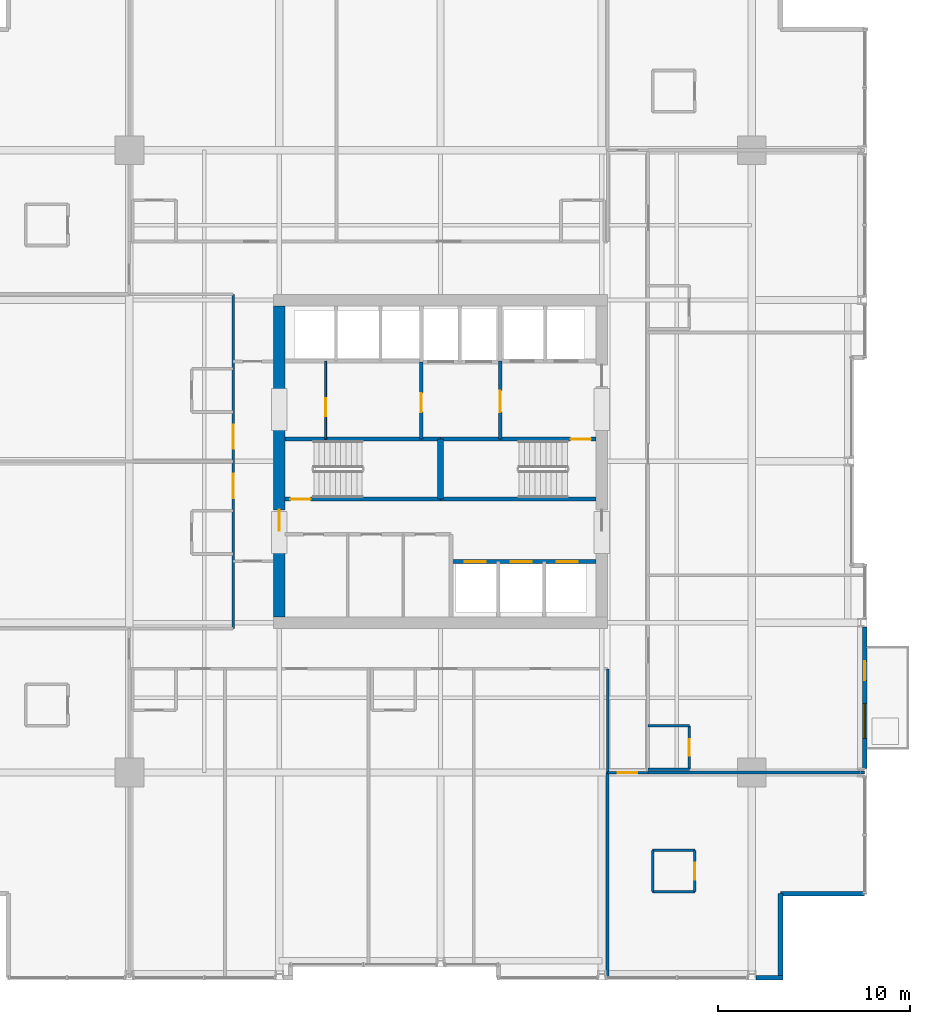
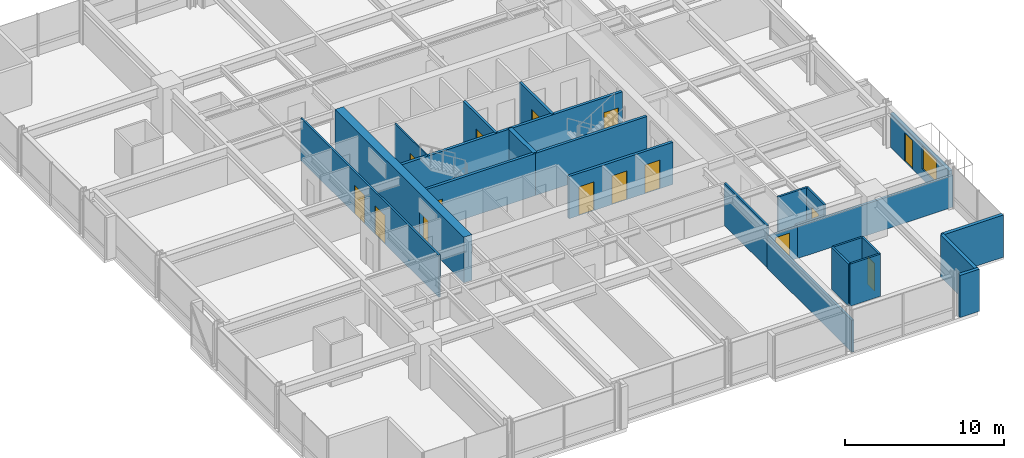
# One storey, part 29 of 34: 26 walls, 15 doors, 1 window, 16 openings.
"""IFC4 building model written with IfcOpenShell, lengths in metres."""

from ifc_helpers import new_model, si_unit, direction, frame, frame_2d, origin, place, context, subcontext, project, spatial, rectangle, extrude, material, layer, layer_set, type_object, element, fill, save


model = new_model("IFC4")

# Units and contexts
model_context = context("Model", 3, precision=1e-05, world=origin(), true_north=direction((0.0, 1.0)))
body_context = subcontext(model_context, "Body", "Model", "MODEL_VIEW")
ifc_project = project(units=[si_unit("LENGTHUNIT", "METRE"), si_unit("AREAUNIT", "SQUARE_METRE"), si_unit("VOLUMEUNIT", "CUBIC_METRE"), si_unit("PLANEANGLEUNIT", "RADIAN"), si_unit("MASSUNIT", "GRAM", prefix="KILO")], contexts=[model_context])

# Site, building, storey
site_placement = place(None, origin())
site = spatial("IfcSite", under=ifc_project, at=site_placement, CompositionType="ELEMENT")
building_placement = place(site_placement, origin())
building = spatial("IfcBuilding", under=site, at=building_placement, Name="Drelvath Grand Hotel", CompositionType="ELEMENT")
storey_placement = place(building_placement, frame((0.0, 0.0, 112.800048828125)))
storey = spatial("IfcBuildingStorey", under=building, at=storey_placement, Name="L28", CompositionType="ELEMENT", Elevation=112.800048828125)

# Wall, opening, door
ifc_material_1 = material(Name="Gypsum Partition Board")
ifc_layer_1 = layer(ifc_material_1, 0.10009765625)
ifc_layer_set_1 = layer_set([ifc_layer_1], Name="Gypsum Partition Board")
wall_type_1 = type_object("IfcWallType", Name="Core Closet Partition 100", PredefinedType="PARTITIONING", material=ifc_layer_set_1)
wall_1_placement = place(storey_placement, frame((-5.97998046875, 28.159912109375, 0.0), z_axis=(0.0, 0.0, 1.0), x_axis=(0.0, 1.0, 0.0)))
wall_1 = element("IfcWall", 1, at=wall_1_placement, inside=storey, type_object=wall_type_1, Name="L28 Core Closet Divider 2", PredefinedType="PARTITIONING", context=body_context, shape_type="SweptSolid", body=[
    extrude(rectangle(XDim=4.06005859375, YDim=0.10009765625, at=frame_2d((2.030029296875, 0.0))), origin(), (0.0, 0.0, 1.0), 3.239990234375),
])
opening_1_placement = place(wall_1_placement, frame((1.199951171875, 0.0, 0.0)))
opening_1 = element("IfcOpeningElement", 2, at=opening_1_placement, cuts=wall_1, Name="Opening D-T2G3-010", PredefinedType="OPENING", context=body_context, shape_type="SweptSolid", body=[
    extrude(rectangle(XDim=0.919921875, YDim=2.10009765625, at=frame_2d((0.4599609375, 1.050048828125))), frame((0.0, 0.06005859375, 0.0), z_axis=(0.0, -1.0, 0.0), x_axis=(1.0, 0.0, 0.0)), (0.0, 0.0, 1.0), 0.1201171875),
])
ifc_material_2 = material(Name="Painted Steel S275", Category="steel")
door_type_1 = type_object("IfcDoorType", Name="Staff Utility Door 920x2100", OperationType="NOTDEFINED", PredefinedType="DOOR", material=ifc_material_2)
door_1_placement = place(opening_1_placement, origin())
door_1 = element("IfcDoor", 3, at=door_1_placement, inside=storey, type_object=door_type_1, Name="L28 Low-Voltage Closet Door", OperationType="SINGLE_SWING_RIGHT", OverallHeight=2.10009765625, OverallWidth=0.919921875, PredefinedType="DOOR", context=body_context, shape_type="SweptSolid", body=[
    extrude(rectangle(XDim=0.919921875, YDim=2.10009765625, at=frame_2d((0.4599609375, 1.050048828125))), frame((0.0, 0.02490234375, 0.0), z_axis=(0.0, -1.0, 0.0), x_axis=(1.0, 0.0, 0.0)), (0.0, 0.0, 1.0), 0.050048828125),
])
fill(opening_1, door_1)

# Wall, openings, doors
ifc_material_3 = material(Name="Concrete C40/50", Category="concrete")
ifc_layer_2 = layer(ifc_material_3, 0.199951171875)
ifc_layer_set_2 = layer_set([ifc_layer_2], Name="Concrete C40/50")
wall_type_2 = type_object("IfcWallType", Name="Core Hoistway Fire Wall 200", PredefinedType="SOLIDWALL", material=ifc_layer_set_2)
wall_2_placement = place(storey_placement, frame((8.10009765625, 21.780029296875, 0.0), z_axis=(0.0, 0.0, 1.0), x_axis=(-1.0, 0.0, 0.0)))
wall_2 = element("IfcWall", 4, at=wall_2_placement, inside=storey, type_object=wall_type_2, Name="L28 Bank 2 Hoistway Wall", PredefinedType="SOLIDWALL", context=body_context, shape_type="SweptSolid", body=[
    extrude(rectangle(XDim=7.550048828125, YDim=0.199951171875, at=frame_2d((3.77490234375, 0.0))), origin(), (0.0, 0.0, 1.0), 3.239990234375),
])
opening_2_placement = place(wall_2_placement, frame((5.75, 0.0, 0.0)))
opening_2 = element("IfcOpeningElement", 5, at=opening_2_placement, cuts=wall_2, Name="Opening LD-PE-4", PredefinedType="OPENING", context=body_context, shape_type="SweptSolid", body=[
    extrude(rectangle(XDim=1.10009765625, YDim=2.199951171875, at=frame_2d((0.550048828125, 1.10009765625))), frame((0.0, 0.10986328125, 0.0), z_axis=(0.0, -1.0, 0.0), x_axis=(1.0, 0.0, 0.0)), (0.0, 0.0, 1.0), 0.219970703125),
])
opening_3_placement = place(wall_2_placement, frame((3.35009765625, 0.0, 0.0)))
opening_3 = element("IfcOpeningElement", 6, at=opening_3_placement, cuts=wall_2, Name="Opening LD-PE-5", PredefinedType="OPENING", context=body_context, shape_type="SweptSolid", body=[
    extrude(rectangle(XDim=1.10009765625, YDim=2.199951171875, at=frame_2d((0.550048828125, 1.10009765625))), frame((0.0, 0.10986328125, 0.0), z_axis=(0.0, -1.0, 0.0), x_axis=(1.0, 0.0, 0.0)), (0.0, 0.0, 1.0), 0.219970703125),
])
opening_4_placement = place(wall_2_placement, frame((0.949951171875, 0.0, 0.0)))
opening_4 = element("IfcOpeningElement", 7, at=opening_4_placement, cuts=wall_2, Name="Opening LD-PE-6", PredefinedType="OPENING", context=body_context, shape_type="SweptSolid", body=[
    extrude(rectangle(XDim=1.10009765625, YDim=2.199951171875, at=frame_2d((0.550048828125, 1.10009765625))), frame((0.0, 0.10986328125, 0.0), z_axis=(0.0, -1.0, 0.0), x_axis=(1.0, 0.0, 0.0)), (0.0, 0.0, 1.0), 0.219970703125),
])
ifc_material_4 = material(Name="Stainless Steel S355", Category="steel")
door_type_2 = type_object("IfcDoorType", Name="Passenger Lift Sliding Landing Door 1100x2200", OperationType="NOTDEFINED", PredefinedType="DOOR", material=ifc_material_4)
door_2_placement = place(opening_2_placement, origin())
door_2 = element("IfcDoor", 8, at=door_2_placement, inside=storey, type_object=door_type_2, Name="L28 Lift PE-4 Landing Door", OperationType="SLIDING_TO_LEFT", OverallHeight=2.199951171875, OverallWidth=1.10009765625, PredefinedType="DOOR", context=body_context, shape_type="SweptSolid", body=[
    extrude(rectangle(XDim=1.10009765625, YDim=2.199951171875, at=frame_2d((0.550048828125, 1.10009765625))), frame((0.0, 0.02490234375, 0.0), z_axis=(0.0, -1.0, 0.0), x_axis=(1.0, 0.0, 0.0)), (0.0, 0.0, 1.0), 0.050048828125),
])
fill(opening_2, door_2)
door_3_placement = place(opening_3_placement, origin())
door_3 = element("IfcDoor", 9, at=door_3_placement, inside=storey, type_object=door_type_2, Name="L28 Lift PE-5 Landing Door", OperationType="SLIDING_TO_LEFT", OverallHeight=2.199951171875, OverallWidth=1.10009765625, PredefinedType="DOOR", context=body_context, shape_type="SweptSolid", body=[
    extrude(rectangle(XDim=1.10009765625, YDim=2.199951171875, at=frame_2d((0.550048828125, 1.10009765625))), frame((0.0, 0.02490234375, 0.0), z_axis=(0.0, -1.0, 0.0), x_axis=(1.0, 0.0, 0.0)), (0.0, 0.0, 1.0), 0.050048828125),
])
fill(opening_3, door_3)
door_4_placement = place(opening_4_placement, origin())
door_4 = element("IfcDoor", 10, at=door_4_placement, inside=storey, type_object=door_type_2, Name="L28 Lift PE-6 Landing Door", OperationType="SLIDING_TO_LEFT", OverallHeight=2.199951171875, OverallWidth=1.10009765625, PredefinedType="DOOR", context=body_context, shape_type="SweptSolid", body=[
    extrude(rectangle(XDim=1.10009765625, YDim=2.199951171875, at=frame_2d((0.550048828125, 1.10009765625))), frame((0.0, 0.02490234375, 0.0), z_axis=(0.0, -1.0, 0.0), x_axis=(1.0, 0.0, 0.0)), (0.0, 0.0, 1.0), 0.050048828125),
])
fill(opening_4, door_4)

# Wall, opening, door
ifc_layer_3 = layer(ifc_material_3, 0.199951171875)
ifc_layer_set_3 = layer_set([ifc_layer_3], Name="Concrete C40/50")
wall_type_3 = type_object("IfcWallType", Name="Core Shaft Fire Wall 200", PredefinedType="SOLIDWALL", material=ifc_layer_set_3)
wall_3_placement = place(storey_placement, frame((-8.10009765625, 25.0400390625, 0.0), z_axis=(0.0, 0.0, 1.0), x_axis=(1.0, 0.0, 0.0)))
wall_3 = element("IfcWall", 11, at=wall_3_placement, inside=storey, type_object=wall_type_3, Name="L28 Stair ST-1 South Wall", PredefinedType="SOLIDWALL", context=body_context, shape_type="SweptSolid", body=[
    extrude(rectangle(XDim=8.10009765625, YDim=0.199951171875, at=frame_2d((4.050048828125, 0.0))), origin(), (0.0, 0.0, 1.0), 3.239990234375),
])
opening_5_placement = place(wall_3_placement, frame((0.280029296875, 0.0, 0.0)))
opening_5 = element("IfcOpeningElement", 12, at=opening_5_placement, cuts=wall_3, Name="Opening D-T2G3-001", PredefinedType="OPENING", context=body_context, shape_type="SweptSolid", body=[
    extrude(rectangle(XDim=1.050048828125, YDim=2.10009765625, at=frame_2d((0.52490234375, 1.050048828125))), frame((0.0, 0.10986328125, 0.0), z_axis=(0.0, -1.0, 0.0), x_axis=(1.0, 0.0, 0.0)), (0.0, 0.0, 1.0), 0.219970703125),
])
door_type_3 = type_object("IfcDoorType", Name="Tower Stairwell Fire Door 1050x2100", OperationType="NOTDEFINED", PredefinedType="DOOR", material=ifc_material_2)
door_5_placement = place(opening_5_placement, origin())
door_5 = element("IfcDoor", 13, at=door_5_placement, inside=storey, type_object=door_type_3, Name="L28 Exit Stair ST-1 Door", OperationType="SINGLE_SWING_LEFT", OverallHeight=2.10009765625, OverallWidth=1.050048828125, PredefinedType="DOOR", context=body_context, shape_type="SweptSolid", body=[
    extrude(rectangle(XDim=1.050048828125, YDim=2.10009765625, at=frame_2d((0.52490234375, 1.050048828125))), frame((0.0, 0.02490234375, 0.0), z_axis=(0.0, -1.0, 0.0), x_axis=(1.0, 0.0, 0.0)), (0.0, 0.0, 1.0), 0.050048828125),
])
fill(opening_5, door_5)

# Walls
for number, where, z_axis, x_axis, name in (
    (14, (-8.10009765625, 28.159912109375, 0.0), (0.0, 0.0, 1.0), (1.0, 0.0, 0.0), "L28 Stair ST-1 North Wall"),
    (15, (0.0, 25.0400390625, 0.0), (0.0, 0.0, 1.0), (1.0, 0.0, 0.0), "L28 Stair ST-2 South Wall"),
):
    element("IfcWall", number, at=place(storey_placement, frame(where, z_axis=z_axis, x_axis=x_axis)), inside=storey, type_object=wall_type_3, Name=name, PredefinedType="SOLIDWALL", context=body_context, shape_type="SweptSolid", body=[
        extrude(rectangle(XDim=8.10009765625, YDim=0.199951171875, at=frame_2d((4.050048828125, 0.0))), origin(), (0.0, 0.0, 1.0), 3.239990234375),
    ])

# Wall, opening, door
wall_4_placement = place(storey_placement, frame((8.10009765625, 28.159912109375, 0.0), z_axis=(0.0, 0.0, 1.0), x_axis=(-1.0, 0.0, 0.0)))
wall_4 = element("IfcWall", 16, at=wall_4_placement, inside=storey, type_object=wall_type_3, Name="L28 Stair ST-2 North Wall", PredefinedType="SOLIDWALL", context=body_context, shape_type="SweptSolid", body=[
    extrude(rectangle(XDim=8.10009765625, YDim=0.199951171875, at=frame_2d((4.050048828125, 0.0))), origin(), (0.0, 0.0, 1.0), 3.239990234375),
])
opening_6_placement = place(wall_4_placement, frame((0.280029296875, 0.0, 0.0)))
opening_6 = element("IfcOpeningElement", 17, at=opening_6_placement, cuts=wall_4, Name="Opening D-T2G3-002", PredefinedType="OPENING", context=body_context, shape_type="SweptSolid", body=[
    extrude(rectangle(XDim=1.050048828125, YDim=2.10009765625, at=frame_2d((0.52490234375, 1.050048828125))), frame((0.0, 0.10986328125, 0.0), z_axis=(0.0, -1.0, 0.0), x_axis=(1.0, 0.0, 0.0)), (0.0, 0.0, 1.0), 0.219970703125),
])
door_6_placement = place(opening_6_placement, origin())
door_6 = element("IfcDoor", 18, at=door_6_placement, inside=storey, type_object=door_type_3, Name="L28 Exit Stair ST-2 Door", OperationType="SINGLE_SWING_LEFT", OverallHeight=2.10009765625, OverallWidth=1.050048828125, PredefinedType="DOOR", context=body_context, shape_type="SweptSolid", body=[
    extrude(rectangle(XDim=1.050048828125, YDim=2.10009765625, at=frame_2d((0.52490234375, 1.050048828125))), frame((0.0, 0.02490234375, 0.0), z_axis=(0.0, -1.0, 0.0), x_axis=(1.0, 0.0, 0.0)), (0.0, 0.0, 1.0), 0.050048828125),
])
fill(opening_6, door_6)

# Walls
ifc_layer_4 = layer(ifc_material_3, 0.300048828125)
ifc_layer_set_4 = layer_set([ifc_layer_4], Name="Concrete C40/50")
wall_type_4 = type_object("IfcWallType", Name="Core Shaft Fire Wall 300", PredefinedType="SOLIDWALL", material=ifc_layer_set_4)
wall_5_placement = place(storey_placement, frame((0.0, 25.0400390625, 0.0), z_axis=(0.0, 0.0, 1.0), x_axis=(0.0, 1.0, 0.0)))
element("IfcWall", 19, at=wall_5_placement, inside=storey, type_object=wall_type_4, Name="L28 Core Stair Divider Wall", PredefinedType="SOLIDWALL", context=body_context, shape_type="SweptSolid", body=[
    extrude(rectangle(XDim=3.119873046875, YDim=0.300048828125, at=frame_2d((1.56005859375, 0.0))), origin(), (0.0, 0.0, 1.0), 3.239990234375),
])
ifc_material_5 = material(Name="Gypsum Fireboard Partition")
ifc_layer_5 = layer(ifc_material_5, 0.135009765625)
ifc_layer_set_5 = layer_set([ifc_layer_5], Name="Gypsum Fireboard Partition")
wall_type_5 = type_object("IfcWallType", Name="Corridor Fire Barrier Wall 135", PredefinedType="PARTITIONING", material=ifc_layer_set_5)
wall_6_placement = place(storey_placement, frame((8.699951171875, 10.800048828125, 0.0), z_axis=(0.0, 0.0, 1.0), x_axis=(0.0, 1.0, 0.0)))
element("IfcWall", 20, at=wall_6_placement, inside=storey, type_object=wall_type_5, Name="L28 East Spine South Inner Wall", PredefinedType="PARTITIONING", context=body_context, shape_type="SweptSolid", body=[
    extrude(rectangle(XDim=5.39990234375, YDim=0.135009765625, at=frame_2d((2.699951171875, 0.0))), origin(), (0.0, 0.0, 1.0), 3.239990234375),
])

# Wall, openings, doors
wall_7_placement = place(storey_placement, frame((-10.800048828125, 18.300048828125, 0.0), z_axis=(0.0, 0.0, 1.0), x_axis=(0.0, 1.0, 0.0)))
wall_7 = element("IfcWall", 21, at=wall_7_placement, inside=storey, type_object=wall_type_5, Name="L28 West Spine Wall", PredefinedType="PARTITIONING", context=body_context, shape_type="SweptSolid", body=[
    extrude(rectangle(XDim=17.39990234375, YDim=0.135009765625, at=frame_2d((8.699951171875, 0.0))), origin(), (0.0, 0.0, 1.0), 3.239990234375),
])
opening_7_placement = place(wall_7_placement, frame((6.784912109375, 0.0, 0.0)))
opening_7 = element("IfcOpeningElement", 22, at=opening_7_placement, cuts=wall_7, Name="Opening D-T2G3-045", PredefinedType="OPENING", context=body_context, shape_type="SweptSolid", body=[
    extrude(rectangle(XDim=1.260009765625, YDim=2.199951171875, at=frame_2d((0.6298828125, 1.10009765625))), frame((0.0, 0.077392578125, 0.0), z_axis=(0.0, -1.0, 0.0), x_axis=(1.0, 0.0, 0.0)), (0.0, 0.0, 1.0), 0.155029296875),
])
opening_8_placement = place(wall_7_placement, frame((9.35498046875, 0.0, 0.0)))
opening_8 = element("IfcOpeningElement", 23, at=opening_8_placement, cuts=wall_7, Name="Opening D-T2G3-047", PredefinedType="OPENING", context=body_context, shape_type="SweptSolid", body=[
    extrude(rectangle(XDim=1.260009765625, YDim=2.199951171875, at=frame_2d((0.6298828125, 1.10009765625))), frame((0.0, 0.077392578125, 0.0), z_axis=(0.0, -1.0, 0.0), x_axis=(1.0, 0.0, 0.0)), (0.0, 0.0, 1.0), 0.155029296875),
])
ifc_material_6 = material(Name="Hardwood Walnut Timber", Category="wood")
door_type_4 = type_object("IfcDoorType", Name="Suite Entrance Fire Door 1260x2200", OperationType="NOTDEFINED", PredefinedType="DOOR", material=ifc_material_6)
door_7_placement = place(opening_7_placement, origin())
door_7 = element("IfcDoor", 24, at=door_7_placement, inside=storey, type_object=door_type_4, Name="L28 Corner Suite Entry Door", OperationType="SINGLE_SWING_RIGHT", OverallHeight=2.199951171875, OverallWidth=1.260009765625, PredefinedType="DOOR", context=body_context, shape_type="SweptSolid", body=[
    extrude(rectangle(XDim=1.260009765625, YDim=2.199951171875, at=frame_2d((0.6298828125, 1.10009765625))), frame((0.0, 0.02490234375, 0.0), z_axis=(0.0, -1.0, 0.0), x_axis=(1.0, 0.0, 0.0)), (0.0, 0.0, 1.0), 0.050048828125),
])
fill(opening_7, door_7)
door_8_placement = place(opening_8_placement, origin())
door_8 = element("IfcDoor", 25, at=door_8_placement, inside=storey, type_object=door_type_4, Name="L28 Corner Suite Entry Door", OperationType="SINGLE_SWING_RIGHT", OverallHeight=2.199951171875, OverallWidth=1.260009765625, PredefinedType="DOOR", context=body_context, shape_type="SweptSolid", body=[
    extrude(rectangle(XDim=1.260009765625, YDim=2.199951171875, at=frame_2d((0.6298828125, 1.10009765625))), frame((0.0, 0.02490234375, 0.0), z_axis=(0.0, -1.0, 0.0), x_axis=(1.0, 0.0, 0.0)), (0.0, 0.0, 1.0), 0.050048828125),
])
fill(opening_8, door_8)

# Wall, opening, door
wall_8_placement = place(storey_placement, frame((8.699951171875, 10.800048828125, 0.0), z_axis=(0.0, 0.0, 1.0), x_axis=(1.0, 0.0, 0.0)))
wall_8 = element("IfcWall", 26, at=wall_8_placement, inside=storey, type_object=wall_type_5, Name="L28 East Spine South End", PredefinedType="PARTITIONING", context=body_context, shape_type="SweptSolid", body=[
    extrude(rectangle(XDim=2.10009765625, YDim=0.135009765625, at=frame_2d((1.050048828125, 0.0))), origin(), (0.0, 0.0, 1.0), 2.45166015625),
])
opening_9_placement = place(wall_8_placement, frame((0.52001953125, 0.0, 0.0)))
opening_9 = element("IfcOpeningElement", 27, at=opening_9_placement, cuts=wall_8, Name="Opening D-T2G3-026", PredefinedType="OPENING", context=body_context, shape_type="SweptSolid", body=[
    extrude(rectangle(XDim=1.02001953125, YDim=2.14990234375, at=frame_2d((0.510009765625, 1.074951171875))), frame((0.0, 0.077392578125, 0.0), z_axis=(0.0, -1.0, 0.0), x_axis=(1.0, 0.0, 0.0)), (0.0, 0.0, 1.0), 0.155029296875),
])
door_type_5 = type_object("IfcDoorType", Name="Amenity Meeting Fire Door 1020x2150", OperationType="NOTDEFINED", PredefinedType="DOOR", material=ifc_material_6)
door_9_placement = place(opening_9_placement, origin())
door_9 = element("IfcDoor", 28, at=door_9_placement, inside=storey, type_object=door_type_5, Name="L28 Corner Suite Entry Door", OperationType="SINGLE_SWING_LEFT", OverallHeight=2.14990234375, OverallWidth=1.02001953125, PredefinedType="DOOR", context=body_context, shape_type="SweptSolid", body=[
    extrude(rectangle(XDim=1.02001953125, YDim=2.14990234375, at=frame_2d((0.510009765625, 1.074951171875))), frame((0.0, 0.02490234375, 0.0), z_axis=(0.0, -1.0, 0.0), x_axis=(1.0, 0.0, 0.0)), (0.0, 0.0, 1.0), 0.050048828125),
])
fill(opening_9, door_9)

# Walls
ifc_material_7 = material(Name="Moisture-Resistant Gypsum Board")
ifc_layer_6 = layer(ifc_material_7, 0.139892578125)
ifc_layer_set_6 = layer_set([ifc_layer_6], Name="Moisture-Resistant Gypsum Board")
wall_type_6 = type_object("IfcWallType", Name="En-Suite Plumbing Wall 140", PredefinedType="PLUMBINGWALL", material=ifc_layer_set_6)
for number, where, z_axis, x_axis, name in (
    (29, (11.0400390625, 4.60009765625, 0.0), (0.0, 0.0, 1.0), (1.0, 0.0, 0.0), "L28 Corner En-Suite South"),
    (30, (11.0400390625, 6.75, 0.0), (0.0, 0.0, 1.0), (1.0, 0.0, 0.0), "L28 Corner En-Suite North"),
):
    element("IfcWall", number, at=place(storey_placement, frame(where, z_axis=z_axis, x_axis=x_axis)), inside=storey, type_object=wall_type_6, Name=name, PredefinedType="PLUMBINGWALL", context=body_context, shape_type="SweptSolid", body=[
        extrude(rectangle(XDim=2.199951171875, YDim=0.139892578125, at=frame_2d((1.10009765625, 0.0))), origin(), (0.0, 0.0, 1.0), 3.239990234375),
    ])
wall_9_placement = place(storey_placement, frame((11.0400390625, 4.60009765625, 0.0), z_axis=(0.0, 0.0, 1.0), x_axis=(0.0, 1.0, 0.0)))
element("IfcWall", 31, at=wall_9_placement, inside=storey, type_object=wall_type_6, Name="L28 Corner En-Suite West", PredefinedType="PLUMBINGWALL", context=body_context, shape_type="SweptSolid", body=[
    extrude(rectangle(XDim=2.14990234375, YDim=0.139892578125, at=frame_2d((1.074951171875, 0.0))), origin(), (0.0, 0.0, 1.0), 3.239990234375),
])

# Wall, opening, door
wall_10_placement = place(storey_placement, frame((13.239990234375, 4.60009765625, 0.0), z_axis=(0.0, 0.0, 1.0), x_axis=(0.0, 1.0, 0.0)))
wall_10 = element("IfcWall", 32, at=wall_10_placement, inside=storey, type_object=wall_type_6, Name="L28 Corner En-Suite East", PredefinedType="PLUMBINGWALL", context=body_context, shape_type="SweptSolid", body=[
    extrude(rectangle(XDim=2.14990234375, YDim=0.139892578125, at=frame_2d((1.074951171875, 0.0))), origin(), (0.0, 0.0, 1.0), 3.239990234375),
])
opening_10_placement = place(wall_10_placement, frame((0.6201171875, 0.0, 0.0)))
opening_10 = element("IfcOpeningElement", 33, at=opening_10_placement, cuts=wall_10, Name="Opening D-T2G3-025", PredefinedType="OPENING", context=body_context, shape_type="SweptSolid", body=[
    extrude(rectangle(XDim=0.8798828125, YDim=2.10009765625, at=frame_2d((0.43994140625, 1.050048828125))), frame((0.0, 0.079833984375, 0.0), z_axis=(0.0, -1.0, 0.0), x_axis=(1.0, 0.0, 0.0)), (0.0, 0.0, 1.0), 0.159912109375),
])
door_type_6 = type_object("IfcDoorType", Name="En-Suite Bathroom Door 880x2100", OperationType="NOTDEFINED", PredefinedType="DOOR", material=ifc_material_6)
door_10_placement = place(opening_10_placement, origin())
door_10 = element("IfcDoor", 34, at=door_10_placement, inside=storey, type_object=door_type_6, Name="L28 Corner En-Suite Door", OperationType="SINGLE_SWING_RIGHT", OverallHeight=2.10009765625, OverallWidth=0.8798828125, PredefinedType="DOOR", context=body_context, shape_type="SweptSolid", body=[
    extrude(rectangle(XDim=0.8798828125, YDim=2.10009765625, at=frame_2d((0.43994140625, 1.050048828125))), frame((0.0, 0.02490234375, 0.0), z_axis=(0.0, -1.0, 0.0), x_axis=(1.0, 0.0, 0.0)), (0.0, 0.0, 1.0), 0.050048828125),
])
fill(opening_10, door_10)

# Walls
wall_11_placement = place(storey_placement, frame((10.800048828125, 10.97998046875, 0.0), z_axis=(0.0, 0.0, 1.0), x_axis=(1.0, 0.0, 0.0)))
element("IfcWall", 35, at=wall_11_placement, inside=storey, type_object=wall_type_6, Name="L28 En-Suite Left Wall", PredefinedType="PLUMBINGWALL", context=body_context, shape_type="SweptSolid", body=[
    extrude(rectangle(XDim=2.14990234375, YDim=0.139892578125, at=frame_2d((1.074951171875, 0.0))), origin(), (0.0, 0.0, 1.0), 2.45166015625),
])
wall_12_placement = place(storey_placement, frame((10.800048828125, 13.22998046875, 0.0), z_axis=(0.0, 0.0, 1.0), x_axis=(1.0, 0.0, 0.0)))
element("IfcWall", 36, at=wall_12_placement, inside=storey, type_object=wall_type_6, Name="L28 En-Suite Right Wall", PredefinedType="PLUMBINGWALL", context=body_context, shape_type="SweptSolid", body=[
    extrude(rectangle(XDim=2.14990234375, YDim=0.139892578125, at=frame_2d((1.074951171875, 0.0))), origin(), (0.0, 0.0, 1.0), 3.239990234375),
])

# Wall, opening, door
wall_13_placement = place(storey_placement, frame((12.949951171875, 10.97998046875, 0.0), z_axis=(0.0, 0.0, 1.0), x_axis=(0.0, 1.0, 0.0)))
wall_13 = element("IfcWall", 37, at=wall_13_placement, inside=storey, type_object=wall_type_6, Name="L28 En-Suite Front Wall", PredefinedType="PLUMBINGWALL", context=body_context, shape_type="SweptSolid", body=[
    extrude(rectangle(XDim=2.25, YDim=0.139892578125, at=frame_2d((1.125, 0.0))), origin(), (0.0, 0.0, 1.0), 3.239990234375),
])
opening_11_placement = place(wall_13_placement, frame((0.68505859375, 0.0, 0.0)))
opening_11 = element("IfcOpeningElement", 38, at=opening_11_placement, cuts=wall_13, Name="Opening D-T2G3-039", PredefinedType="OPENING", context=body_context, shape_type="SweptSolid", body=[
    extrude(rectangle(XDim=0.8798828125, YDim=2.10009765625, at=frame_2d((0.43994140625, 1.050048828125))), frame((0.0, 0.079833984375, 0.0), z_axis=(0.0, -1.0, 0.0), x_axis=(1.0, 0.0, 0.0)), (0.0, 0.0, 1.0), 0.159912109375),
])
door_11_placement = place(opening_11_placement, origin())
door_11 = element("IfcDoor", 39, at=door_11_placement, inside=storey, type_object=door_type_6, Name="L28 En-Suite Bathroom Door", OperationType="SINGLE_SWING_RIGHT", OverallHeight=2.10009765625, OverallWidth=0.8798828125, PredefinedType="DOOR", context=body_context, shape_type="SweptSolid", body=[
    extrude(rectangle(XDim=0.8798828125, YDim=2.10009765625, at=frame_2d((0.43994140625, 1.050048828125))), frame((0.0, 0.02490234375, 0.0), z_axis=(0.0, -1.0, 0.0), x_axis=(1.0, 0.0, 0.0)), (0.0, 0.0, 1.0), 0.050048828125),
])
fill(opening_11, door_11)

ifc_layer_7 = layer(ifc_material_5, 0.179931640625)
ifc_layer_set_7 = layer_set([ifc_layer_7], Name="Gypsum Fireboard Partition")
wall_type_7 = type_object("IfcWallType", Name="FSAE Smoke Lobby Fire Wall 180", PredefinedType="SOLIDWALL", material=ifc_layer_set_7)
wall_14_placement = place(storey_placement, frame((3.10009765625, 28.159912109375, 0.0), z_axis=(0.0, 0.0, 1.0), x_axis=(0.0, 1.0, 0.0)))
wall_14 = element("IfcWall", 40, at=wall_14_placement, inside=storey, type_object=wall_type_7, Name="L28 FSAE Smoke Lobby West Wall", PredefinedType="SOLIDWALL", context=body_context, shape_type="SweptSolid", body=[
    extrude(rectangle(XDim=4.06005859375, YDim=0.179931640625, at=frame_2d((2.030029296875, 0.0))), origin(), (0.0, 0.0, 1.0), 3.239990234375),
])
opening_12_placement = place(wall_14_placement, frame((1.39990234375, 0.0, 0.0)))
opening_12 = element("IfcOpeningElement", 41, at=opening_12_placement, cuts=wall_14, Name="Opening D-T2G3-005", PredefinedType="OPENING", context=body_context, shape_type="SweptSolid", body=[
    extrude(rectangle(XDim=1.1201171875, YDim=2.10009765625, at=frame_2d((0.56005859375, 1.050048828125))), frame((0.0, 0.099853515625, 0.0), z_axis=(0.0, -1.0, 0.0), x_axis=(1.0, 0.0, 0.0)), (0.0, 0.0, 1.0), 0.199951171875),
])
door_type_7 = type_object("IfcDoorType", Name="FSAE Smoke Lobby Fire Door 1120x2100", OperationType="NOTDEFINED", PredefinedType="DOOR", material=ifc_material_2)
door_12_placement = place(opening_12_placement, origin())
door_12 = element("IfcDoor", 42, at=door_12_placement, inside=storey, type_object=door_type_7, Name="L28 FSAE Lobby Service Vestibule Door", OperationType="SINGLE_SWING_RIGHT", OverallHeight=2.10009765625, OverallWidth=1.1201171875, PredefinedType="DOOR", context=body_context, shape_type="SweptSolid", body=[
    extrude(rectangle(XDim=1.1201171875, YDim=2.10009765625, at=frame_2d((0.56005859375, 1.050048828125))), frame((0.0, 0.02490234375, 0.0), z_axis=(0.0, -1.0, 0.0), x_axis=(1.0, 0.0, 0.0)), (0.0, 0.0, 1.0), 0.050048828125),
])
fill(opening_12, door_12)

wall_15_placement = place(storey_placement, frame((-1.0, 28.159912109375, 0.0), z_axis=(0.0, 0.0, 1.0), x_axis=(0.0, 1.0, 0.0)))
wall_15 = element("IfcWall", 43, at=wall_15_placement, inside=storey, type_object=wall_type_7, Name="L28 Service Vestibule West Wall", PredefinedType="SOLIDWALL", context=body_context, shape_type="SweptSolid", body=[
    extrude(rectangle(XDim=4.02001953125, YDim=0.179931640625, at=frame_2d((2.010009765625, 0.0))), origin(), (0.0, 0.0, 1.0), 3.239990234375),
])
opening_13_placement = place(wall_15_placement, frame((1.39990234375, 0.0, 0.0)))
opening_13 = element("IfcOpeningElement", 44, at=opening_13_placement, cuts=wall_15, Name="Opening D-T2G3-009", PredefinedType="OPENING", context=body_context, shape_type="SweptSolid", body=[
    extrude(rectangle(XDim=1.0, YDim=2.10009765625, at=frame_2d((0.5, 1.050048828125))), frame((0.0, 0.099853515625, 0.0), z_axis=(0.0, -1.0, 0.0), x_axis=(1.0, 0.0, 0.0)), (0.0, 0.0, 1.0), 0.199951171875),
])
door_type_8 = type_object("IfcDoorType", Name="Core Service Fire Door 1000x2100", OperationType="NOTDEFINED", PredefinedType="DOOR", material=ifc_material_2)
door_13_placement = place(opening_13_placement, origin())
door_13 = element("IfcDoor", 45, at=door_13_placement, inside=storey, type_object=door_type_8, Name="L28 Service Vestibule West Door", OperationType="SINGLE_SWING_LEFT", OverallHeight=2.10009765625, OverallWidth=1.0, PredefinedType="DOOR", context=body_context, shape_type="SweptSolid", body=[
    extrude(rectangle(XDim=1.0, YDim=2.10009765625, at=frame_2d((0.5, 1.050048828125))), frame((0.0, 0.02490234375, 0.0), z_axis=(0.0, -1.0, 0.0), x_axis=(1.0, 0.0, 0.0)), (0.0, 0.0, 1.0), 0.050048828125),
])
fill(opening_13, door_13)

ifc_material_8 = material(Name="Concrete f'c 70 MPa", Category="concrete")
ifc_layer_8 = layer(ifc_material_8, 0.60009765625)
ifc_layer_set_8 = layer_set([ifc_layer_8], Name="Concrete f'c 70 MPa")
wall_type_8 = type_object("IfcWallType", Name="Lower Core RC Shear Wall 600", PredefinedType="SHEAR", material=ifc_layer_set_8)
wall_16_placement = place(storey_placement, frame((-8.39990234375, 18.89990234375, 0.0), z_axis=(0.0, 0.0, 1.0), x_axis=(0.0, 1.0, 0.0)))
wall_16 = element("IfcWall", 46, at=wall_16_placement, inside=storey, type_object=wall_type_8, Name="L28 Central Core Shear Wall W", PredefinedType="SHEAR", context=body_context, shape_type="SweptSolid", body=[
    extrude(rectangle(XDim=16.2001953125, YDim=0.60009765625, at=frame_2d((8.10009765625, 0.0))), origin(), (0.0, 0.0, 1.0), 3.5),
])
opening_14_placement = place(wall_16_placement, frame((4.5, 0.0, 0.0)))
opening_14 = element("IfcOpeningElement", 47, at=opening_14_placement, cuts=wall_16, Name="Opening D-T2G3-014", PredefinedType="OPENING", context=body_context, shape_type="SweptSolid", body=[
    extrude(rectangle(XDim=1.080078125, YDim=2.0400390625, at=frame_2d((0.5400390625, 1.02001953125))), frame((0.0, 0.31005859375, 0.0), z_axis=(0.0, -1.0, 0.0), x_axis=(1.0, 0.0, 0.0)), (0.0, 0.0, 1.0), 0.6201171875),
])
door_type_9 = type_object("IfcDoorType", Name="Core Corridor Fire Door 1080x2100", OperationType="NOTDEFINED", PredefinedType="DOOR", material=ifc_material_2)
door_14_placement = place(opening_14_placement, origin())
door_14 = element("IfcDoor", 48, at=door_14_placement, inside=storey, type_object=door_type_9, Name="L28 Mid-Rise Lobby West Door", OperationType="SINGLE_SWING_LEFT", OverallHeight=2.0400390625, OverallWidth=1.080078125, PredefinedType="DOOR", context=body_context, shape_type="SweptSolid", body=[
    extrude(rectangle(XDim=1.080078125, YDim=2.0400390625, at=frame_2d((0.5400390625, 1.02001953125))), frame((0.0, 0.02490234375, 0.0), z_axis=(0.0, -1.0, 0.0), x_axis=(1.0, 0.0, 0.0)), (0.0, 0.0, 1.0), 0.050048828125),
])
fill(opening_14, door_14)

# Walls
ifc_material_9 = material(Name="Gypsum Acoustic Partition")
ifc_layer_9 = layer(ifc_material_9, 0.1650390625)
ifc_layer_set_9 = layer_set([ifc_layer_9], Name="Gypsum Acoustic Partition")
wall_type_9 = type_object("IfcWallType", Name="Suite Demising Wall 165", PredefinedType="PARTITIONING", material=ifc_layer_set_9)
wall_17_placement = place(storey_placement, frame((8.699951171875, 0.1201171875, 0.0), z_axis=(0.0, 0.0, 1.0), x_axis=(0.0, 1.0, 0.0)))
element("IfcWall", 49, at=wall_17_placement, inside=storey, type_object=wall_type_9, Name="L28 SE Suite West Wall", PredefinedType="PARTITIONING", context=body_context, shape_type="SweptSolid", body=[
    extrude(rectangle(XDim=10.679931640625, YDim=0.1650390625, at=frame_2d((5.33984375, 0.0))), origin(), (0.0, 0.0, 1.0), 2.45166015625),
])
wall_18_placement = place(storey_placement, frame((10.800048828125, 10.800048828125, 0.0), z_axis=(0.0, 0.0, 1.0), x_axis=(1.0, 0.0, 0.0)))
element("IfcWall", 50, at=wall_18_placement, inside=storey, type_object=wall_type_9, Name="L28 SE Suite North Wall", PredefinedType="PARTITIONING", context=body_context, shape_type="SweptSolid", body=[
    extrude(rectangle(XDim=11.280029296875, YDim=0.1650390625, at=frame_2d((5.64013671875, 0.0))), origin(), (0.0, 0.0, 1.0), 2.45166015625),
])

# Wall, openings, window, door
ifc_material_10 = material(Name="Pale-Metal Insulated Aluminium Spandrel Assembly", Category="aluminium")
ifc_layer_10 = layer(ifc_material_10, 0.239990234375)
ifc_layer_set_10 = layer_set([ifc_layer_10], Name="Pale-Metal Insulated Aluminium Spandrel Assembly")
wall_type_10 = type_object("IfcWallType", Name="Tower Insulated Metal Spandrel Closure Wall 240", PredefinedType="STANDARD", material=ifc_layer_set_10)
wall_19_placement = place(storey_placement, frame((22.080078125, 18.38037109375, 0.0), z_axis=(0.0, 0.0, 1.0), x_axis=(0.0, -1.0, 0.0)))
wall_19 = element("IfcWall", 51, at=wall_19_placement, inside=storey, type_object=wall_type_10, Name="L28 Exterior Terrace Door Bay Wall ES2", PredefinedType="STANDARD", context=body_context, shape_type="SweptSolid", body=[
    extrude(rectangle(XDim=7.36083984375, YDim=0.239990234375, at=frame_2d((3.680419921875, 0.0))), origin(), (0.0, 0.0, 1.0), 2.62890625),
])
opening_15_placement = place(wall_19_placement, frame((1.780517578125, 0.0, 0.0)))
opening_15 = element("IfcOpeningElement", 52, at=opening_15_placement, cuts=wall_19, Name="Opening TD-1000", PredefinedType="OPENING", context=body_context, shape_type="SweptSolid", body=[
    extrude(rectangle(XDim=1.0, YDim=2.199951171875, at=frame_2d((0.5, 1.10009765625))), frame((0.0, 0.1298828125, 0.0), z_axis=(0.0, -1.0, 0.0), x_axis=(1.0, 0.0, 0.0)), (0.0, 0.0, 1.0), 0.260009765625),
])
opening_16_placement = place(wall_19_placement, frame((3.99658203125, 0.0, 0.75)))
opening_16 = element("IfcOpeningElement", 53, at=opening_16_placement, cuts=wall_19, Name="Opening W-02", PredefinedType="OPENING", context=body_context, shape_type="SweptSolid", body=[
    extrude(rectangle(XDim=1.800048828125, YDim=1.779052734375, at=frame_2d((0.89990234375, 0.8896484375))), frame((0.0, 0.1298828125, 0.0), z_axis=(0.0, -1.0, 0.0), x_axis=(1.0, 0.0, 0.0)), (0.0, 0.0, 1.0), 0.260009765625),
])
ifc_material_11 = material(Name="Bronze Anodised Low-E Triple Glazing", Category="glass")
window_type = type_object("IfcWindowType", Name="Chicago Double-Pane Podium Window 1800x2400", PartitioningType="DOUBLE_PANEL_VERTICAL", PredefinedType="WINDOW", material=ifc_material_11)
window_placement = place(opening_16_placement, origin())
window = element("IfcWindow", 54, at=window_placement, inside=storey, type_object=window_type, Name="L28 Terrace Bay Companion Window ES2", OverallHeight=1.779052734375, OverallWidth=1.800048828125, PartitioningType="SINGLE_PANEL", PredefinedType="WINDOW", context=body_context, shape_type="SweptSolid", body=[
    extrude(rectangle(XDim=1.800048828125, YDim=1.779052734375, at=frame_2d((0.89990234375, 0.8896484375))), frame((0.0, 0.030029296875, 0.0), z_axis=(0.0, -1.0, 0.0), x_axis=(1.0, 0.0, 0.0)), (0.0, 0.0, 1.0), 0.06005859375),
])
fill(opening_16, window)
ifc_material_12 = material(Name="Anodised Aluminium Thermally Broken Glazed Door", Category="aluminium")
door_type_10 = type_object("IfcDoorType", Name="Terrace and Tree Balcony Glazed Door 1000x2200", OperationType="NOTDEFINED", PredefinedType="DOOR", material=ifc_material_12)
door_15_placement = place(opening_15_placement, origin())
door_15 = element("IfcDoor", 55, at=door_15_placement, inside=storey, type_object=door_type_10, Name="L28 Tree Balcony Door DOOR-L28-TBAL-1", OperationType="SINGLE_SWING_RIGHT", OverallHeight=2.199951171875, OverallWidth=1.0, PredefinedType="DOOR", context=body_context, shape_type="SweptSolid", body=[
    extrude(rectangle(XDim=1.0, YDim=2.199951171875, at=frame_2d((0.5, 1.10009765625))), frame((0.0, 0.02490234375, 0.0), z_axis=(0.0, -1.0, 0.0), x_axis=(1.0, 0.0, 0.0)), (0.0, 0.0, 1.0), 0.050048828125),
])
fill(opening_15, door_15)

# Walls
wall_20_placement = place(storey_placement, frame((17.820068359375, 0.1201171875, 0.0), z_axis=(0.0, 0.0, 1.0), x_axis=(-1.0, 0.0, 0.0)))
element("IfcWall", 56, at=wall_20_placement, inside=storey, type_object=wall_type_10, Name="L28 Corner Pier Spandrel Wall SE3", PredefinedType="STANDARD", context=body_context, shape_type="SweptSolid", body=[
    extrude(rectangle(XDim=1.400390625, YDim=0.239990234375, at=frame_2d((0.7001953125, 0.0))), origin(), (0.0, 0.0, 1.0), 3.239990234375),
])
wall_21_placement = place(storey_placement, frame((22.080078125, 4.5, 0.0), z_axis=(0.0, 0.0, 1.0), x_axis=(-1.0, 0.0, 0.0)))
element("IfcWall", 57, at=wall_21_placement, inside=storey, type_object=wall_type_10, Name="L28 Notched Corner Return Spandrel Wall CSE1", PredefinedType="STANDARD", context=body_context, shape_type="SweptSolid", body=[
    extrude(rectangle(XDim=4.380126953125, YDim=0.239990234375, at=frame_2d((2.18994140625, 0.0))), origin(), (0.0, 0.0, 1.0), 3.239990234375),
])
wall_22_placement = place(storey_placement, frame((17.699951171875, 4.5, 0.0), z_axis=(0.0, 0.0, 1.0), x_axis=(0.0, -1.0, 0.0)))
element("IfcWall", 58, at=wall_22_placement, inside=storey, type_object=wall_type_10, Name="L28 Notched Corner Return Spandrel Wall CSE2", PredefinedType="STANDARD", context=body_context, shape_type="SweptSolid", body=[
    extrude(rectangle(XDim=4.260009765625, YDim=0.239990234375, at=frame_2d((2.1298828125, 0.0))), origin(), (0.0, 0.0, 1.0), 3.239990234375),
])

save(model, "model.ifc")
